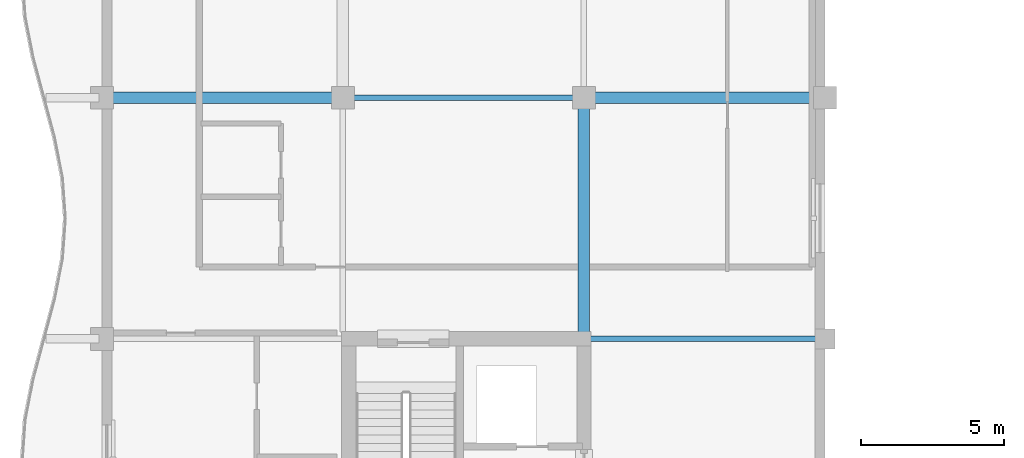
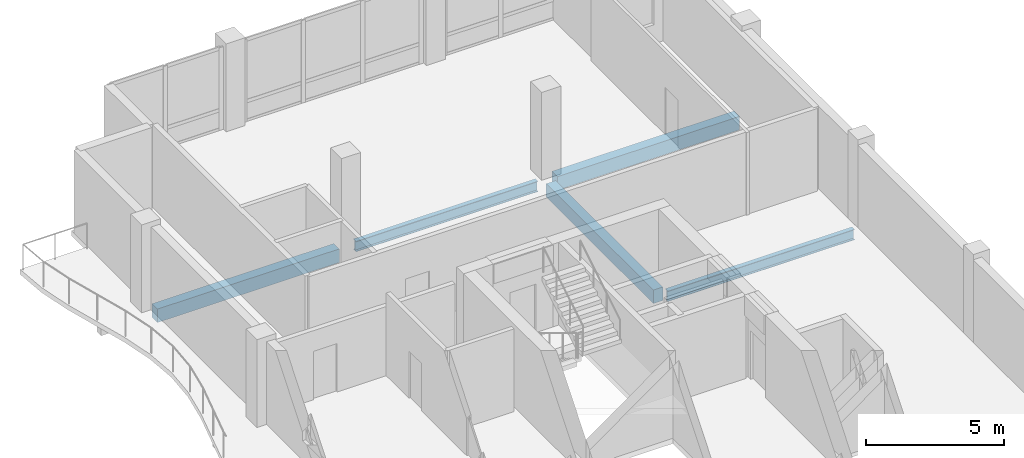
# One storey, part 2 of 17: 5 beams.
"""IFC4 building model written with IfcOpenShell, lengths in metres."""

from ifc_helpers import new_model, si_unit, direction, frame, origin, origin_2d, place, context, subcontext, project, spatial, rectangle, i_section, extrude, material, material_profile, profile_set, type_object, element, save


model = new_model("IFC4")

# Units and contexts
model_context = context("Model", 3, precision=1e-05, world=origin(), true_north=direction((0.0, 1.0)))
body_context = subcontext(model_context, "Body", "Model", "MODEL_VIEW")
ifc_project = project(units=[si_unit("LENGTHUNIT", "METRE"), si_unit("AREAUNIT", "SQUARE_METRE"), si_unit("VOLUMEUNIT", "CUBIC_METRE"), si_unit("PLANEANGLEUNIT", "RADIAN"), si_unit("MASSUNIT", "GRAM", prefix="KILO")], contexts=[model_context])

# Site, building, storey
site_placement = place(None, origin())
site = spatial("IfcSite", under=ifc_project, at=site_placement, CompositionType="ELEMENT")
building_placement = place(site_placement, origin())
building = spatial("IfcBuilding", under=site, at=building_placement, Name="Koriwani Terraces Tower", CompositionType="ELEMENT")
storey_placement = place(building_placement, frame((0.0, 0.0, 316.39990234375)))
storey = spatial("IfcBuildingStorey", under=building, at=storey_placement, Name="L78", CompositionType="ELEMENT", Elevation=316.39990234375)

# Beams
ifc_material_1 = material(Name="Concrete C40/50", Category="concrete")
ifc_material_profile_1 = material_profile(ifc_material_1, rectangle(XDim=0.39990234375, YDim=0.60009765625, at=origin_2d()), Name="Concrete C40/50", Category="LoadBearing")
ifc_profile_set_1 = profile_set([ifc_material_profile_1], Name="Concrete C40/50")
beam_type_1 = type_object("IfcBeamType", Name="BEAM_RC_GRID_400X600", PredefinedType="BEAM", material=ifc_profile_set_1)
for number, where, z_axis, x_axis, name in (
    (1, (8.780029296875, 67.199951171875, -0.52978515625), (1.0, 0.0, 0.0), (0.0, 1.0, 0.0), "L78 Grid Beam I (8.4-16.8m)"),
    (2, (25.580078125, 67.199951171875, -0.52978515625), (1.0, 0.0, 0.0), (0.0, 1.0, 0.0), "L78 Grid Beam I (25.2-33.6m)"),
):
    element("IfcBeam", number, at=place(storey_placement, frame(where, z_axis=z_axis, x_axis=x_axis)), inside=storey, type_object=beam_type_1, Name=name, PredefinedType="BEAM", context=body_context, shape_type="SweptSolid", body=[
        extrude(rectangle(XDim=0.39990234375, YDim=0.60009765625, at=origin_2d()), origin(), (0.0, 0.0, 1.0), 7.639892578125),
    ])
beam_1_placement = place(storey_placement, frame((25.199951171875, 59.030029296875, -0.52978515625), z_axis=(0.0, 1.0, 0.0), x_axis=(-1.0, 0.0, 0.0)))
element("IfcBeam", 3, at=beam_1_placement, inside=storey, type_object=beam_type_1, Name="L78 Grid Beam 4 (58.8-67.2m)", PredefinedType="BEAM", context=body_context, shape_type="SweptSolid", body=[
    extrude(rectangle(XDim=0.39990234375, YDim=0.60009765625, at=origin_2d()), origin(), (0.0, 0.0, 1.0), 7.7900390625),
])
ifc_material_2 = material(Name="Steel ASTM A572 Grade 50", Category="steel")
ifc_material_profile_2 = material_profile(ifc_material_2, i_section(OverallWidth=0.193115234375, OverallDepth=0.462890625, WebThickness=0.0107421875, FlangeThickness=0.017333984375, at=origin_2d()), Name="Steel ASTM A572 Grade 50", Category="LoadBearing")
ifc_profile_set_2 = profile_set([ifc_material_profile_2], Name="Steel ASTM A572 Grade 50")
beam_type_2 = type_object("IfcBeamType", Name="STEEL_BEAM_W460X113", PredefinedType="BEAM", material=ifc_profile_set_2)
beam_2_placement = place(storey_placement, frame((25.429931640625, 58.800048828125, -0.46142578125), z_axis=(1.0, 0.0, 0.0), x_axis=(0.0, 1.0, 0.0)))
element("IfcBeam", 4, at=beam_2_placement, inside=storey, type_object=beam_type_2, Name="L78 Grid Beam H (25.2-33.6m)", PredefinedType="BEAM", context=body_context, shape_type="SweptSolid", body=[
    extrude(i_section(OverallWidth=0.193115234375, OverallDepth=0.462890625, WebThickness=0.0107421875, FlangeThickness=0.017333984375, at=origin_2d()), origin(), (0.0, 0.0, 1.0), 7.840087890625),
])
beam_3_placement = place(storey_placement, frame((17.179931640625, 67.199951171875, -0.46142578125), z_axis=(1.0, 0.0, 0.0), x_axis=(0.0, 1.0, 0.0)))
element("IfcBeam", 5, at=beam_3_placement, inside=storey, type_object=beam_type_2, Name="L78 Grid Beam I (16.8-25.2m)", PredefinedType="BEAM", context=body_context, shape_type="SweptSolid", body=[
    extrude(i_section(OverallWidth=0.193115234375, OverallDepth=0.462890625, WebThickness=0.0107421875, FlangeThickness=0.017333984375, at=origin_2d()), origin(), (0.0, 0.0, 1.0), 7.64013671875),
])

save(model, "model.ifc")
